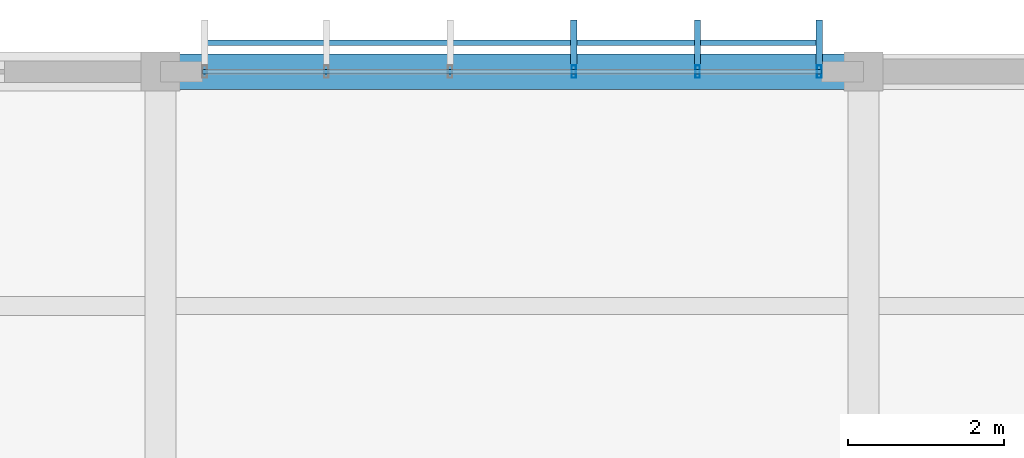
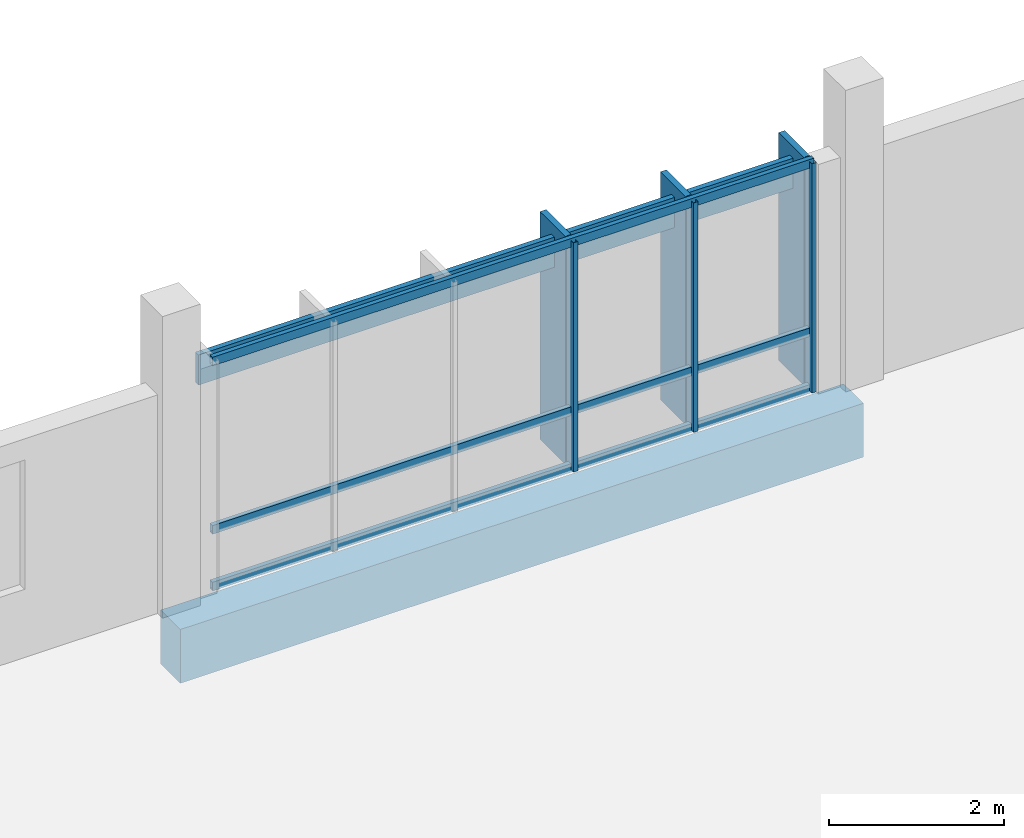
# One storey, part 69 of 107: 10 members, 1 beam, 1 element without a shape of its own.
"""IFC4 building model written with IfcOpenShell, lengths in metres."""

from ifc_helpers import new_model, si_unit, direction, frame, origin, origin_2d, place, context, subcontext, project, spatial, rectangle, hollow_rectangle, extrude, material, material_profile, profile_set, type_object, element, aggregate, save


model = new_model("IFC4")

# Units and contexts
model_context = context("Model", 3, precision=1e-05, world=origin(), true_north=direction((0.0, 1.0)))
body_context = subcontext(model_context, "Body", "Model", "MODEL_VIEW")
ifc_project = project(units=[si_unit("LENGTHUNIT", "METRE"), si_unit("AREAUNIT", "SQUARE_METRE"), si_unit("VOLUMEUNIT", "CUBIC_METRE"), si_unit("PLANEANGLEUNIT", "RADIAN"), si_unit("MASSUNIT", "GRAM", prefix="KILO")], contexts=[model_context])

# Site, building, storey
site_placement = place(None, origin())
site = spatial("IfcSite", under=ifc_project, at=site_placement, CompositionType="ELEMENT")
building_placement = place(site_placement, origin())
building = spatial("IfcBuilding", under=site, at=building_placement, Name="Chiffa Square Polytechnic", CompositionType="ELEMENT")
storey_placement = place(building_placement, frame((0.0, 0.0, 13.800048828125)))
storey = spatial("IfcBuildingStorey", under=building, at=storey_placement, Name="L03", CompositionType="ELEMENT", Elevation=13.800048828125)

# Beam
ifc_material_1 = material(Name="Concrete C35/45", Category="concrete")
ifc_material_profile_1 = material_profile(ifc_material_1, rectangle(XDim=0.449951171875, YDim=0.75, at=origin_2d()), Name="RC 450x750")
ifc_profile_set_1 = profile_set([ifc_material_profile_1], Name="Concrete C35/45")
beam_type = type_object("IfcBeamType", Name="BM-RC-450X750", PredefinedType="BEAM", material=ifc_profile_set_1)
beam_placement = place(storey_placement, frame((57.60009765625, 130.800048828125, -0.635009765625), z_axis=(1.0, 0.0, 0.0), x_axis=(0.0, 1.0, 0.0)))
element("IfcBeam", 1, at=beam_placement, inside=storey, type_object=beam_type, Name="Primary floor girder BM-V5-L03-X-0576-1308", PredefinedType="BEAM", context=body_context, shape_type="SweptSolid", body=[
    extrude(rectangle(XDim=0.449951171875, YDim=0.75, at=origin_2d()), origin(), (0.0, 0.0, 1.0), 9.0),
])

# Curtain wall, members
ifc_material_2 = material(Name="Aluminium EN AW-6060 T66 and glulam shading", Category="wood")
curtain_wall_type = type_object("IfcCurtainWallType", Name="CW-VERT-300X380", PredefinedType="USERDEFINED", material=ifc_material_2)
curtain_wall_placement = place(storey_placement, origin())
curtain_wall = element("IfcCurtainWall", 2, at=curtain_wall_placement, inside=storey, type_object=curtain_wall_type, Name="Curtain wall CW-V5-L03-235", ObjectType="CURTAIN WALL", PredefinedType="USERDEFINED")
ifc_material_3 = material(Name="Aluminium EN AW-6060 T66", Category="aluminium")
ifc_material_profile_2 = material_profile(ifc_material_3, hollow_rectangle(XDim=0.06005859375, YDim=0.159912109375, WallThickness=0.00390625, at=origin_2d()), Name="ALU 60x160x4")
ifc_profile_set_2 = profile_set([ifc_material_profile_2], Name="Aluminium EN AW-6060 T66")
member_type_1 = type_object("IfcMemberType", Name="CWM-ALU-65X150", PredefinedType="MULLION", material=ifc_profile_set_2)
member_1_placement = place(storey_placement, frame((66.034912109375, 130.800048828125, 0.0), z_axis=(0.0, 0.0, 1.0), x_axis=(1.0, 0.0, 0.0)))
member_1 = element("IfcMember", 3, at=member_1_placement, type_object=member_type_1, Name="Curtain wall mullion CW-V5-L03-235-M00", PredefinedType="MULLION", context=body_context, shape_type="SweptSolid", body=[
    extrude(hollow_rectangle(XDim=0.06005859375, YDim=0.159912109375, WallThickness=0.00390625, at=origin_2d()), origin(), (0.0, 0.0, 1.0), 3.195068359375),
])
member_2_placement = place(storey_placement, frame((64.47607421875, 130.800048828125, 0.0), z_axis=(0.0, 0.0, 1.0), x_axis=(1.0, 0.0, 0.0)))
member_2 = element("IfcMember", 4, at=member_2_placement, type_object=member_type_1, Name="Curtain wall mullion CW-V5-L03-235-M01", PredefinedType="MULLION", context=body_context, shape_type="SweptSolid", body=[
    extrude(hollow_rectangle(XDim=0.06005859375, YDim=0.159912109375, WallThickness=0.00390625, at=origin_2d()), origin(), (0.0, 0.0, 1.0), 3.195068359375),
])
member_3_placement = place(storey_placement, frame((62.89208984375, 130.800048828125, 0.0), z_axis=(0.0, 0.0, 1.0), x_axis=(1.0, 0.0, 0.0)))
member_3 = element("IfcMember", 5, at=member_3_placement, type_object=member_type_1, Name="Curtain wall mullion CW-V5-L03-235-M02", PredefinedType="MULLION", context=body_context, shape_type="SweptSolid", body=[
    extrude(hollow_rectangle(XDim=0.06005859375, YDim=0.159912109375, WallThickness=0.00390625, at=origin_2d()), origin(), (0.0, 0.0, 1.0), 3.195068359375),
])
ifc_material_4 = material(Name="Glulam GL28h", Category="wood")
ifc_material_profile_3 = material_profile(ifc_material_4, rectangle(XDim=0.080078125, YDim=0.580078125, at=origin_2d()), Name="GL28h 80x580")
ifc_profile_set_3 = profile_set([ifc_material_profile_3], Name="Glulam GL28h")
member_type_2 = type_object("IfcMemberType", Name="CWM-GL-80X580", PredefinedType="MULLION", material=ifc_profile_set_3)
member_4_placement = place(storey_placement, frame((66.034912109375, 131.172119140625, 0.010009765625), z_axis=(0.0, 0.0, 1.0), x_axis=(-1.0, 0.0, 0.0)))
member_4 = element("IfcMember", 6, at=member_4_placement, type_object=member_type_2, Name="Exterior glulam solar fin CW-V5-L03-235-FN00", PredefinedType="MULLION", context=body_context, shape_type="SweptSolid", body=[
    extrude(rectangle(XDim=0.080078125, YDim=0.580078125, at=origin_2d()), origin(), (0.0, 0.0, 1.0), 3.175048828125),
])
member_5_placement = place(storey_placement, frame((64.47607421875, 131.172119140625, 0.010009765625), z_axis=(0.0, 0.0, 1.0), x_axis=(-1.0, 0.0, 0.0)))
member_5 = element("IfcMember", 7, at=member_5_placement, type_object=member_type_2, Name="Exterior glulam solar fin CW-V5-L03-235-FN01", PredefinedType="MULLION", context=body_context, shape_type="SweptSolid", body=[
    extrude(rectangle(XDim=0.080078125, YDim=0.580078125, at=origin_2d()), origin(), (0.0, 0.0, 1.0), 3.175048828125),
])
member_6_placement = place(storey_placement, frame((62.89208984375, 131.172119140625, 0.010009765625), z_axis=(0.0, 0.0, 1.0), x_axis=(-1.0, 0.0, 0.0)))
member_6 = element("IfcMember", 8, at=member_6_placement, type_object=member_type_2, Name="Exterior glulam solar fin CW-V5-L03-235-FN02", PredefinedType="MULLION", context=body_context, shape_type="SweptSolid", body=[
    extrude(rectangle(XDim=0.080078125, YDim=0.580078125, at=origin_2d()), origin(), (0.0, 0.0, 1.0), 3.175048828125),
])
ifc_material_profile_4 = material_profile(ifc_material_3, hollow_rectangle(XDim=0.06005859375, YDim=0.1201171875, WallThickness=0.00390625, at=origin_2d()), Name="ALU 60x120x4")
ifc_profile_set_4 = profile_set([ifc_material_profile_4], Name="Aluminium EN AW-6060 T66")
member_type_3 = type_object("IfcMemberType", Name="CWT-ALU-65X120", PredefinedType="USERDEFINED", material=ifc_profile_set_4)
member_7_placement = place(storey_placement, frame((66.06201171875, 130.800048828125, 0.030029296875), z_axis=(-1.0, 0.0, 0.0), x_axis=(0.0, -1.0, 0.0)))
member_7 = element("IfcMember", 9, at=member_7_placement, type_object=member_type_3, Name="Curtain wall transom CW-V5-L03-235-T01", ObjectType="TRANSOM", PredefinedType="USERDEFINED", context=body_context, shape_type="SweptSolid", body=[
    extrude(hollow_rectangle(XDim=0.06005859375, YDim=0.1201171875, WallThickness=0.00390625, at=origin_2d()), origin(), (0.0, 0.0, 1.0), 7.924072265625),
])
member_8_placement = place(storey_placement, frame((66.06201171875, 130.800048828125, 0.820068359375), z_axis=(-1.0, 0.0, 0.0), x_axis=(0.0, -1.0, 0.0)))
member_8 = element("IfcMember", 10, at=member_8_placement, type_object=member_type_3, Name="Curtain wall transom CW-V5-L03-235-T02", ObjectType="TRANSOM", PredefinedType="USERDEFINED", context=body_context, shape_type="SweptSolid", body=[
    extrude(hollow_rectangle(XDim=0.06005859375, YDim=0.1201171875, WallThickness=0.00390625, at=origin_2d()), origin(), (0.0, 0.0, 1.0), 7.924072265625),
])
member_9_placement = place(storey_placement, frame((66.06201171875, 130.800048828125, 3.1650390625), z_axis=(-1.0, 0.0, 0.0), x_axis=(0.0, -1.0, 0.0)))
member_9 = element("IfcMember", 11, at=member_9_placement, type_object=member_type_3, Name="Curtain wall transom CW-V5-L03-235-T03", ObjectType="TRANSOM", PredefinedType="USERDEFINED", context=body_context, shape_type="SweptSolid", body=[
    extrude(hollow_rectangle(XDim=0.06005859375, YDim=0.1201171875, WallThickness=0.00390625, at=origin_2d()), origin(), (0.0, 0.0, 1.0), 7.924072265625),
])
ifc_material_profile_5 = material_profile(ifc_material_4, rectangle(XDim=0.070068359375, YDim=0.419921875, at=origin_2d()), Name="GL28h 70x420")
ifc_profile_set_5 = profile_set([ifc_material_profile_5], Name="Glulam GL28h")
member_type_4 = type_object("IfcMemberType", Name="CWT-GL-70X420", PredefinedType="USERDEFINED", material=ifc_profile_set_5)
member_10_placement = place(storey_placement, frame((66.034912109375, 131.172119140625, 2.81494140625), z_axis=(-1.0, 0.0, 0.0), x_axis=(0.0, -1.0, 0.0)))
member_10 = element("IfcMember", 12, at=member_10_placement, type_object=member_type_4, Name="Exterior glulam brise-soleil CW-V5-L03-235-BS01", ObjectType="TRANSOM", PredefinedType="USERDEFINED", context=body_context, shape_type="SweptSolid", body=[
    extrude(rectangle(XDim=0.070068359375, YDim=0.419921875, at=origin_2d()), origin(), (0.0, 0.0, 1.0), 7.869873046875),
])
aggregate(curtain_wall, [member_1, member_4, member_2, member_5, member_3, member_6, member_7, member_8, member_9, member_10])

save(model, "model.ifc")
